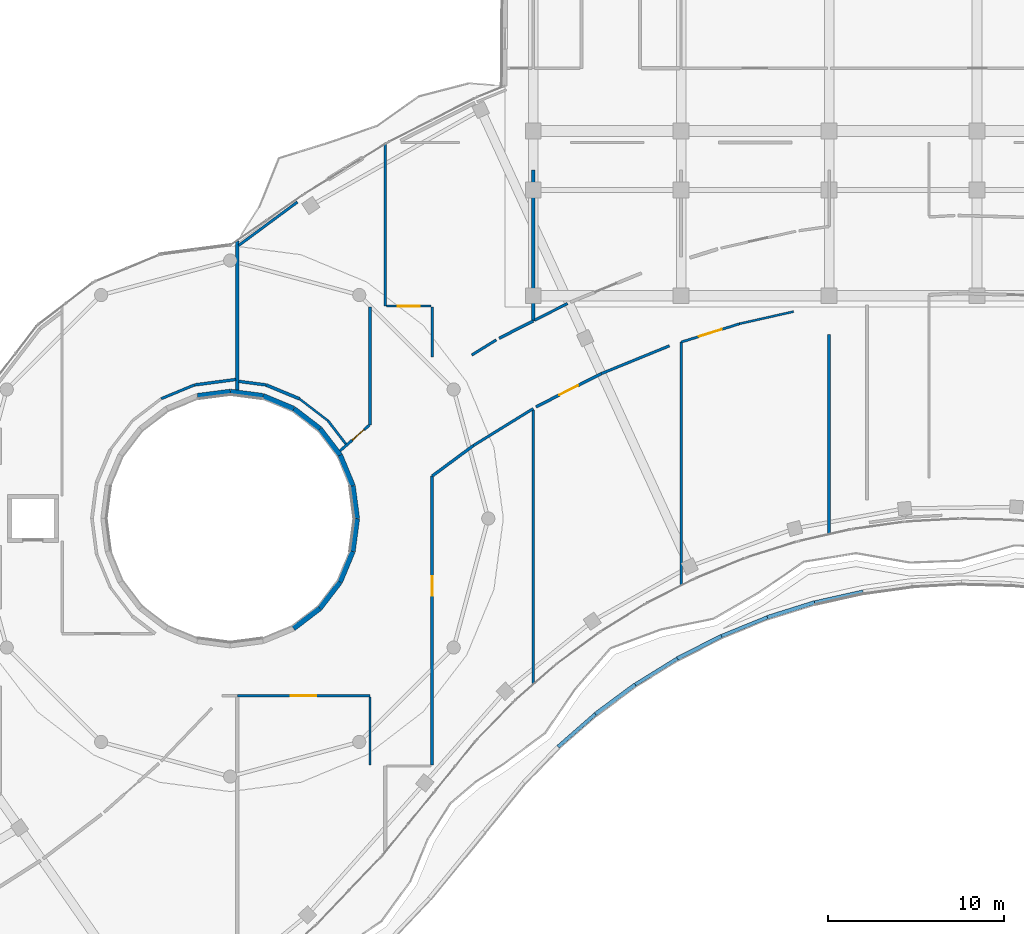
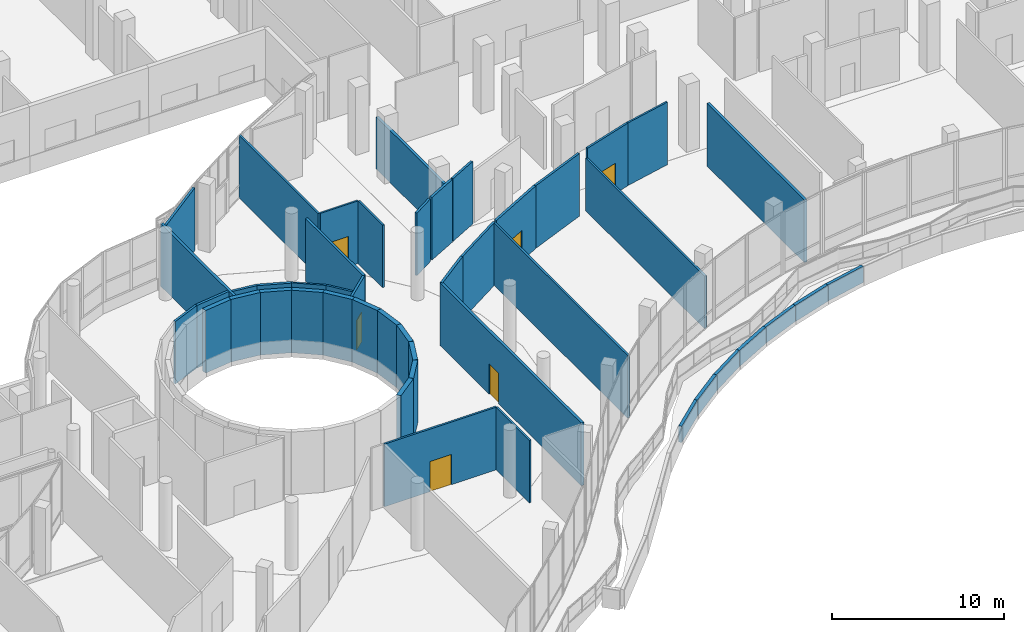
# One storey, part 142 of 168: 47 walls, 6 doors, 6 openings.
"""IFC4 building model written with IfcOpenShell, lengths in metres."""

from ifc_helpers import new_model, si_unit, direction, frame, frame_2d, origin, place, context, subcontext, project, spatial, rectangle, extrude, material, layer, layer_set, type_object, element, fill, save


model = new_model("IFC4")

# Units and contexts
model_context = context("Model", 3, precision=1e-05, world=origin(), true_north=direction((0.0, 1.0)))
body_context = subcontext(model_context, "Body", "Model", "MODEL_VIEW")
ifc_project = project(units=[si_unit("LENGTHUNIT", "METRE"), si_unit("AREAUNIT", "SQUARE_METRE"), si_unit("VOLUMEUNIT", "CUBIC_METRE"), si_unit("PLANEANGLEUNIT", "RADIAN"), si_unit("MASSUNIT", "GRAM", prefix="KILO")], contexts=[model_context])

# Site, building, storey
site_placement = place(None, origin())
site = spatial("IfcSite", under=ifc_project, at=site_placement, CompositionType="ELEMENT")
building_placement = place(site_placement, origin())
building = spatial("IfcBuilding", under=site, at=building_placement, Name="Selatvlak General Hospital", CompositionType="ELEMENT")
storey_placement = place(building_placement, frame((0.0, 0.0, 5.39990234375)))
storey = spatial("IfcBuildingStorey", under=building, at=storey_placement, Name="L01", CompositionType="ELEMENT", Elevation=5.39990234375)

# Walls
ifc_material_1 = material(Name="Precast concrete C40/50 - white fair-faced", Category="concrete")
ifc_layer_1 = layer(ifc_material_1, 0.300048828125, Name="Precast concrete C40/50 - white fair-faced", Category="concrete")
ifc_layer_set_1 = layer_set([ifc_layer_1], Name="Precast concrete C40/50 - white fair-faced")
wall_type_1 = type_object("IfcWallType", Name="WALL-EW-01", PredefinedType="SOLIDWALL", material=ifc_layer_set_1)
wall_1_placement = place(storey_placement, frame((101.60595703125, 60.22998046875, 0.0), z_axis=(0.0, 0.0, 1.0), x_axis=(-0.923330302292, 0.384006709406, 0.0)))
element("IfcWall", 1, at=wall_1_placement, inside=storey, type_object=wall_type_1, Name="L01 exterior wall 0249", PredefinedType="SOLIDWALL", context=body_context, shape_type="SweptSolid", body=[
    extrude(rectangle(XDim=1.8798828125, YDim=0.300048828125, at=frame_2d((0.93994140625, 0.0))), origin(), (0.0, 0.0, 1.0), 4.445068359375),
])
wall_2_placement = place(storey_placement, frame((99.8701171875, 60.951904296875, 0.0), z_axis=(0.0, 0.0, 1.0), x_axis=(-0.991311701137, 0.131533688416, 0.0)))
element("IfcWall", 2, at=wall_2_placement, inside=storey, type_object=wall_type_1, Name="L01 exterior wall 0250", PredefinedType="SOLIDWALL", context=body_context, shape_type="SweptSolid", body=[
    extrude(rectangle(XDim=1.87841796875, YDim=0.300048828125, at=frame_2d((0.939208984375, 0.0))), origin(), (0.0, 0.0, 1.0), 4.445068359375),
])
for number, where, z_axis, x_axis, name in (
    (3, (98.008056640625, 61.198974609375, 0.0), (0.0, 0.0, 1.0), (-0.991606206969, -0.129294741965, 0.0), "L01 exterior wall 0251"),
    (4, (101.593017578125, 47.761962890625, 0.0), (0.0, 0.0, 1.0), (0.79405161161, 0.607850341861, 0.0), "L01 exterior wall 0265"),
):
    element("IfcWall", number, at=place(storey_placement, frame(where, z_axis=z_axis, x_axis=x_axis)), inside=storey, type_object=wall_type_1, Name=name, PredefinedType="SOLIDWALL", context=body_context, shape_type="SweptSolid", body=[
        extrude(rectangle(XDim=1.87890625, YDim=0.300048828125, at=frame_2d((0.939453125, 0.0))), origin(), (0.0, 0.0, 1.0), 4.445068359375),
    ])
wall_3_placement = place(storey_placement, frame((103.0849609375, 48.904052734375, 0.0), z_axis=(0.0, 0.0, 1.0), x_axis=(0.609333966613, 0.792913688324, 0.0)))
element("IfcWall", 5, at=wall_3_placement, inside=storey, type_object=wall_type_1, Name="L01 exterior wall 0266", PredefinedType="SOLIDWALL", context=body_context, shape_type="SweptSolid", body=[
    extrude(rectangle(XDim=1.879150390625, YDim=0.300048828125, at=frame_2d((0.939453125, 0.0))), origin(), (0.0, 0.0, 1.0), 4.445068359375),
])
wall_4_placement = place(storey_placement, frame((104.22998046875, 50.39404296875, 0.0), z_axis=(0.0, 0.0, 1.0), x_axis=(0.384006709406, 0.923330302292, 0.0)))
element("IfcWall", 6, at=wall_4_placement, inside=storey, type_object=wall_type_1, Name="L01 exterior wall 0267", PredefinedType="SOLIDWALL", context=body_context, shape_type="SweptSolid", body=[
    extrude(rectangle(XDim=1.8798828125, YDim=0.300048828125, at=frame_2d((0.93994140625, 0.0))), origin(), (0.0, 0.0, 1.0), 4.445068359375),
])
wall_5_placement = place(storey_placement, frame((104.951904296875, 52.1298828125, 0.0), z_axis=(0.0, 0.0, 1.0), x_axis=(0.131533688416, 0.991311701137, 0.0)))
element("IfcWall", 7, at=wall_5_placement, inside=storey, type_object=wall_type_1, Name="L01 exterior wall 0268", PredefinedType="SOLIDWALL", context=body_context, shape_type="SweptSolid", body=[
    extrude(rectangle(XDim=1.87841796875, YDim=0.300048828125, at=frame_2d((0.939208984375, 0.0))), origin(), (0.0, 0.0, 1.0), 4.445068359375),
])
wall_6_placement = place(storey_placement, frame((105.198974609375, 53.991943359375, 0.0), z_axis=(0.0, 0.0, 1.0), x_axis=(-0.129294741965, 0.991606206969, 0.0)))
element("IfcWall", 8, at=wall_6_placement, inside=storey, type_object=wall_type_1, Name="L01 exterior wall 0269", PredefinedType="SOLIDWALL", context=body_context, shape_type="SweptSolid", body=[
    extrude(rectangle(XDim=1.87890625, YDim=0.300048828125, at=frame_2d((0.939453125, 0.0))), origin(), (0.0, 0.0, 1.0), 4.445068359375),
])
wall_7_placement = place(storey_placement, frame((104.9560546875, 55.85498046875, 0.0), z_axis=(0.0, 0.0, 1.0), x_axis=(-0.381820428435, 0.924236528401, 0.0)))
element("IfcWall", 9, at=wall_7_placement, inside=storey, type_object=wall_type_1, Name="L01 exterior wall 0270", PredefinedType="SOLIDWALL", context=body_context, shape_type="SweptSolid", body=[
    extrude(rectangle(XDim=1.880615234375, YDim=0.300048828125, at=frame_2d((0.9404296875, 0.0))), origin(), (0.0, 0.0, 1.0), 4.445068359375),
])
wall_8_placement = place(storey_placement, frame((104.238037109375, 57.593017578125, 0.0), z_axis=(0.0, 0.0, 1.0), x_axis=(-0.607850341861, 0.79405161161, 0.0)))
element("IfcWall", 10, at=wall_8_placement, inside=storey, type_object=wall_type_1, Name="L01 exterior wall 0271", PredefinedType="SOLIDWALL", context=body_context, shape_type="SweptSolid", body=[
    extrude(rectangle(XDim=1.87890625, YDim=0.300048828125, at=frame_2d((0.939453125, 0.0))), origin(), (0.0, 0.0, 1.0), 4.445068359375),
])
wall_9_placement = place(storey_placement, frame((103.095947265625, 59.0849609375, 0.0), z_axis=(0.0, 0.0, 1.0), x_axis=(-0.792913688324, 0.609333966613, 0.0)))
element("IfcWall", 11, at=wall_9_placement, inside=storey, type_object=wall_type_1, Name="L01 exterior wall 0272", PredefinedType="SOLIDWALL", context=body_context, shape_type="SweptSolid", body=[
    extrude(rectangle(XDim=1.879150390625, YDim=0.300048828125, at=frame_2d((0.939453125, 0.0))), origin(), (0.0, 0.0, 1.0), 4.445068359375),
])
ifc_layer_2 = layer(ifc_material_1, 0.199951171875, Name="Precast concrete C40/50 - white fair-faced", Category="concrete")
ifc_layer_set_2 = layer_set([ifc_layer_2], Name="Precast concrete C40/50 - white fair-faced")
wall_type_2 = type_object("IfcWallType", Name="WALL-PR-01", PredefinedType="PARAPET", material=ifc_layer_set_2)
wall_10_placement = place(storey_placement, frame((133.926025390625, 49.85107421875, -0.079833984375), z_axis=(0.0, 0.0, 1.0), x_axis=(-0.975587461229, -0.219611259942, 0.0)))
element("IfcWall", 12, at=wall_10_placement, inside=storey, type_object=wall_type_2, Name="L01 roof parapet upstand PAR-L01-015", PredefinedType="PARAPET", context=body_context, shape_type="SweptSolid", body=[
    extrude(rectangle(XDim=2.814697265625, YDim=0.199951171875, at=frame_2d((1.4072265625, 0.0))), origin(), (0.0, 0.0, 1.0), 1.14990234375),
])
wall_11_placement = place(storey_placement, frame((128.4990234375, 48.389892578125, -0.079833984375), z_axis=(0.0, 0.0, 1.0), x_axis=(-0.925710006162, -0.37823403402, 0.0)))
element("IfcWall", 13, at=wall_11_placement, inside=storey, type_object=wall_type_2, Name="L01 roof parapet upstand PAR-L01-017", PredefinedType="PARAPET", context=body_context, shape_type="SweptSolid", body=[
    extrude(rectangle(XDim=2.81298828125, YDim=0.199951171875, at=frame_2d((1.406494140625, 0.0))), origin(), (0.0, 0.0, 1.0), 1.14990234375),
])
wall_12_placement = place(storey_placement, frame((123.384033203125, 46.049072265625, -0.079833984375), z_axis=(0.0, 0.0, 1.0), x_axis=(-0.850457549369, -0.526043683283, 0.0)))
element("IfcWall", 14, at=wall_12_placement, inside=storey, type_object=wall_type_2, Name="L01 roof parapet upstand PAR-L01-019", PredefinedType="PARAPET", context=body_context, shape_type="SweptSolid", body=[
    extrude(rectangle(XDim=2.8115234375, YDim=0.199951171875, at=frame_2d((1.40576171875, 0.0))), origin(), (0.0, 0.0, 1.0), 1.14990234375),
])
wall_13_placement = place(storey_placement, frame((118.73095703125, 42.89697265625, -0.079833984375), z_axis=(0.0, 0.0, 1.0), x_axis=(-0.751958286478, -0.659210691203, 0.0)))
element("IfcWall", 15, at=wall_13_placement, inside=storey, type_object=wall_type_2, Name="L01 roof parapet upstand PAR-L01-021", PredefinedType="PARAPET", context=body_context, shape_type="SweptSolid", body=[
    extrude(rectangle(XDim=2.81396484375, YDim=0.199951171875, at=frame_2d((1.406982421875, 0.0))), origin(), (0.0, 0.0, 1.0), 1.14990234375),
])
ifc_layer_3 = layer(ifc_material_1, 0.219970703125, Name="Precast concrete C40/50 - white fair-faced", Category="concrete")
ifc_layer_set_3 = layer_set([ifc_layer_3], Name="Precast concrete C40/50 - white fair-faced")
wall_type_3 = type_object("IfcWallType", Name="WALL-PR-02", PredefinedType="PARAPET", material=ifc_layer_set_3)
wall_14_placement = place(storey_placement, frame((131.179931640625, 49.23291015625, -0.079833984375), z_axis=(0.0, 0.0, 1.0), x_axis=(-0.953948268854, -0.299971165864, 0.0)))
element("IfcWall", 16, at=wall_14_placement, inside=storey, type_object=wall_type_3, Name="L01 roof parapet upstand PAR-L01-016", PredefinedType="PARAPET", context=body_context, shape_type="SweptSolid", body=[
    extrude(rectangle(XDim=2.810302734375, YDim=0.219970703125, at=frame_2d((1.4052734375, 0.0))), origin(), (0.0, 0.0, 1.0), 1.14990234375),
])
wall_15_placement = place(storey_placement, frame((125.89501953125, 47.325927734375, -0.079833984375), z_axis=(0.0, 0.0, 1.0), x_axis=(-0.891373260377, -0.453270019618, 0.0)))
element("IfcWall", 17, at=wall_15_placement, inside=storey, type_object=wall_type_3, Name="L01 roof parapet upstand PAR-L01-018", PredefinedType="PARAPET", context=body_context, shape_type="SweptSolid", body=[
    extrude(rectangle(XDim=2.81689453125, YDim=0.219970703125, at=frame_2d((1.408447265625, 0.0))), origin(), (0.0, 0.0, 1.0), 1.14990234375),
])
wall_16_placement = place(storey_placement, frame((120.992919921875, 44.570068359375, -0.079833984375), z_axis=(0.0, 0.0, 1.0), x_axis=(-0.803970506594, -0.594669172336, 0.0)))
element("IfcWall", 18, at=wall_16_placement, inside=storey, type_object=wall_type_3, Name="L01 roof parapet upstand PAR-L01-020", PredefinedType="PARAPET", context=body_context, shape_type="SweptSolid", body=[
    extrude(rectangle(XDim=2.8134765625, YDim=0.219970703125, at=frame_2d((1.40673828125, 0.0))), origin(), (0.0, 0.0, 1.0), 1.14990234375),
])
ifc_material_2 = material(Name="Acoustic gypsum stud partition")
ifc_layer_4 = layer(ifc_material_2, 0.179931640625, Name="Acoustic gypsum stud partition")
ifc_layer_set_4 = layer_set([ifc_layer_4], Name="Acoustic gypsum stud partition")
wall_type_4 = type_object("IfcWallType", Name="WALL-PT-01", PredefinedType="PARTITIONING", material=ifc_layer_set_4)
wall_17_placement = place(storey_placement, frame((98.39990234375, 69.76611328125, 0.0), z_axis=(0.0, 0.0, 1.0), x_axis=(0.0, -1.0, 0.0)))
element("IfcWall", 19, at=wall_17_placement, inside=storey, type_object=wall_type_4, Name="L01 clinical partition PT-L01-0820", PredefinedType="PARTITIONING", context=body_context, shape_type="SweptSolid", body=[
    extrude(rectangle(XDim=8.47119140625, YDim=0.179931640625, at=frame_2d((4.235595703125, 0.0))), origin(), (0.0, 0.0, 1.0), 4.445068359375),
])
wall_18_placement = place(storey_placement, frame((101.925048828125, 60.798095703125, 0.0), z_axis=(0.0, 0.0, 1.0), x_axis=(-0.923745197655, 0.383007584532, 0.0)))
element("IfcWall", 20, at=wall_18_placement, inside=storey, type_object=wall_type_4, Name="L01 clinical partition PT-L01-0840", PredefinedType="PARTITIONING", context=body_context, shape_type="SweptSolid", body=[
    extrude(rectangle(XDim=2.04931640625, YDim=0.179931640625, at=frame_2d((1.024658203125, 0.0))), origin(), (0.0, 0.0, 1.0), 4.445068359375),
])

# Wall, opening, door
wall_19_placement = place(storey_placement, frame((109.4599609375, 40.0, 0.0), z_axis=(0.0, 0.0, 1.0), x_axis=(0.0, 1.0, 0.0)))
wall_19 = element("IfcWall", 21, at=wall_19_placement, inside=storey, type_object=wall_type_4, Name="L01 clinical partition PT-L01-0845", PredefinedType="PARTITIONING", context=body_context, shape_type="SweptSolid", body=[
    extrude(rectangle(XDim=16.406005859375, YDim=0.179931640625, at=frame_2d((8.203125, 0.0))), origin(), (0.0, 0.0, 1.0), 4.445068359375),
])
opening_1_placement = place(wall_19_placement, frame((9.6220703125, 0.0, 0.0)))
opening_1 = element("IfcOpeningElement", 22, at=opening_1_placement, cuts=wall_19, Name="Opening D-22", PredefinedType="OPENING", context=body_context, shape_type="SweptSolid", body=[
    extrude(rectangle(XDim=1.10009765625, YDim=2.14990234375, at=frame_2d((0.550048828125, 1.074951171875))), frame((0.0, 0.099853515625, 0.0), z_axis=(0.0, -1.0, 0.0), x_axis=(1.0, 0.0, 0.0)), (0.0, 0.0, 1.0), 0.199951171875),
])
ifc_material_3 = material(Name="Pharmacy security fire door")
door_type_1 = type_object("IfcDoorType", Name="DOOR-D-22", OperationType="NOTDEFINED", PredefinedType="DOOR", material=ifc_material_3)
door_1_placement = place(opening_1_placement, origin())
door_1 = element("IfcDoor", 23, at=door_1_placement, inside=storey, type_object=door_type_1, Name="L01 Respiratory Function Clinic 27 door", OperationType="SINGLE_SWING_LEFT", OverallHeight=2.14990234375, OverallWidth=1.10009765625, PredefinedType="DOOR", context=body_context, shape_type="SweptSolid", body=[
    extrude(rectangle(XDim=1.10009765625, YDim=2.14990234375, at=frame_2d((0.550048828125, 1.074951171875))), frame((0.0, 0.02490234375, 0.0), z_axis=(0.0, -1.0, 0.0), x_axis=(1.0, 0.0, 0.0)), (0.0, 0.0, 1.0), 0.050048828125),
])
fill(opening_1, door_1)

# Walls
wall_20_placement = place(storey_placement, frame((115.199951171875, 73.7900390625, 0.0), z_axis=(0.0, 0.0, 1.0), x_axis=(0.0, -1.0, 0.0)))
element("IfcWall", 24, at=wall_20_placement, inside=storey, type_object=wall_type_4, Name="L01 clinical partition PT-L01-0850", PredefinedType="PARTITIONING", context=body_context, shape_type="SweptSolid", body=[
    extrude(rectangle(XDim=8.574951171875, YDim=0.179931640625, at=frame_2d((4.28759765625, 0.0))), origin(), (0.0, 0.0, 1.0), 3.695068359375),
])
wall_21_placement = place(storey_placement, frame((132.0, 64.43994140625, 0.0), z_axis=(0.0, 0.0, 1.0), x_axis=(0.0, -1.0, 0.0)))
element("IfcWall", 25, at=wall_21_placement, inside=storey, type_object=wall_type_4, Name="L01 clinical partition PT-L01-0865", PredefinedType="PARTITIONING", context=body_context, shape_type="SweptSolid", body=[
    extrude(rectangle(XDim=11.323974609375, YDim=0.179931640625, at=frame_2d((5.662109375, 0.0))), origin(), (0.0, 0.0, 1.0), 4.445068359375),
])
ifc_layer_5 = layer(ifc_material_2, 0.1650390625, Name="Acoustic gypsum stud partition")
ifc_layer_set_5 = layer_set([ifc_layer_5], Name="Acoustic gypsum stud partition")
wall_type_5 = type_object("IfcWallType", Name="WALL-PT-02", PredefinedType="PARTITIONING", material=ifc_layer_set_5)
wall_22_placement = place(storey_placement, frame((98.31396484375, 61.89111328125, 0.0), z_axis=(0.0, 0.0, 1.0), x_axis=(-0.991485524019, -0.130216956115, 0.0)))
element("IfcWall", 26, at=wall_22_placement, inside=storey, type_object=wall_type_5, Name="L01 clinical partition PT-L01-0821", PredefinedType="PARTITIONING", context=body_context, shape_type="SweptSolid", body=[
    extrude(rectangle(XDim=2.3662109375, YDim=0.1650390625, at=frame_2d((1.18310546875, 0.0))), origin(), (0.0, 0.0, 1.0), 4.445068359375),
])
wall_23_placement = place(storey_placement, frame((105.93994140625, 66.0, 0.0), z_axis=(0.0, 0.0, 1.0), x_axis=(0.0, -1.0, 0.0)))
element("IfcWall", 27, at=wall_23_placement, inside=storey, type_object=wall_type_5, Name="L01 clinical partition PT-L01-0836", PredefinedType="PARTITIONING", context=body_context, shape_type="SweptSolid", body=[
    extrude(rectangle(XDim=6.699951171875, YDim=0.1650390625, at=frame_2d((3.35009765625, 0.0))), origin(), (0.0, 0.0, 1.0), 4.445068359375),
])
wall_24_placement = place(storey_placement, frame((100.031982421875, 61.5830078125, 0.0), z_axis=(0.0, 0.0, 1.0), x_axis=(-0.991497943081, 0.130122361134, 0.0)))
element("IfcWall", 28, at=wall_24_placement, inside=storey, type_object=wall_type_5, Name="L01 clinical partition PT-L01-0841", PredefinedType="PARTITIONING", context=body_context, shape_type="SweptSolid", body=[
    extrude(rectangle(XDim=1.55908203125, YDim=0.1650390625, at=frame_2d((0.779541015625, 0.0))), origin(), (0.0, 0.0, 1.0), 4.445068359375),
])
wall_25_placement = place(storey_placement, frame((109.4599609375, 56.406005859375, 0.0), z_axis=(0.0, 0.0, 1.0), x_axis=(0.803833088097, 0.594854912125, 0.0)))
element("IfcWall", 29, at=wall_25_placement, inside=storey, type_object=wall_type_5, Name="L01 clinical partition PT-L01-0846", PredefinedType="PARTITIONING", context=body_context, shape_type="SweptSolid", body=[
    extrude(rectangle(XDim=2.914794921875, YDim=0.1650390625, at=frame_2d((1.45751953125, 0.0))), origin(), (0.0, 0.0, 1.0), 4.445068359375),
])
wall_26_placement = place(storey_placement, frame((115.199951171875, 65.215087890625, 0.0), z_axis=(0.0, 0.0, 1.0), x_axis=(-0.891321133159, -0.45337251525, 0.0)))
element("IfcWall", 30, at=wall_26_placement, inside=storey, type_object=wall_type_5, Name="L01 clinical partition PT-L01-0851", PredefinedType="PARTITIONING", context=body_context, shape_type="SweptSolid", body=[
    extrude(rectangle(XDim=2.16845703125, YDim=0.1650390625, at=frame_2d((1.084228515625, 0.0))), origin(), (0.0, 0.0, 1.0), 4.445068359375),
])

# Wall, opening, door
wall_27_placement = place(storey_placement, frame((115.35302734375, 60.333984375, 0.0), z_axis=(0.0, 0.0, 1.0), x_axis=(0.891282591813, 0.453448278782, 0.0)))
wall_27 = element("IfcWall", 31, at=wall_27_placement, inside=storey, type_object=wall_type_5, Name="L01 clinical partition PT-L01-0856", PredefinedType="PARTITIONING", context=body_context, shape_type="SweptSolid", body=[
    extrude(rectangle(XDim=4.1748046875, YDim=0.1650390625, at=frame_2d((2.08740234375, 0.0))), origin(), (0.0, 0.0, 1.0), 4.445068359375),
])
opening_2_placement = place(wall_27_placement, frame((1.487060546875, 0.0, 0.0)))
opening_2 = element("IfcOpeningElement", 32, at=opening_2_placement, cuts=wall_27, Name="Opening D-07", PredefinedType="OPENING", context=body_context, shape_type="SweptSolid", body=[
    extrude(rectangle(XDim=1.199951171875, YDim=2.14990234375, at=frame_2d((0.60009765625, 1.074951171875))), frame((0.0, 0.092529296875, 0.0), z_axis=(0.0, -1.0, 0.0), x_axis=(1.0, 0.0, 0.0)), (0.0, 0.0, 1.0), 0.18505859375),
])
ifc_material_4 = material(Name="Plant and store fire door")
door_type_2 = type_object("IfcDoorType", Name="DOOR-D-07", OperationType="NOTDEFINED", PredefinedType="DOOR", material=ifc_material_4)
door_2_placement = place(opening_2_placement, origin())
door_2 = element("IfcDoor", 33, at=door_2_placement, inside=storey, type_object=door_type_2, Name="L01 Adult Intensive Care Unit Bay 29 door", OperationType="SINGLE_SWING_LEFT", OverallHeight=2.14990234375, OverallWidth=1.199951171875, PredefinedType="DOOR", context=body_context, shape_type="SweptSolid", body=[
    extrude(rectangle(XDim=1.199951171875, YDim=2.14990234375, at=frame_2d((0.60009765625, 1.074951171875))), frame((0.0, 0.02490234375, 0.0), z_axis=(0.0, -1.0, 0.0), x_axis=(1.0, 0.0, 0.0)), (0.0, 0.0, 1.0), 0.050048828125),
])
fill(opening_2, door_2)

# Wall
ifc_layer_6 = layer(ifc_material_2, 0.14990234375, Name="Acoustic gypsum stud partition")
ifc_layer_set_6 = layer_set([ifc_layer_6], Name="Acoustic gypsum stud partition")
wall_type_6 = type_object("IfcWallType", Name="WALL-PT-03", PredefinedType="PARTITIONING", material=ifc_layer_set_6)
wall_28_placement = place(storey_placement, frame((95.968017578125, 61.5830078125, 0.0), z_axis=(0.0, 0.0, 1.0), x_axis=(-0.923745197655, -0.383007584532, 0.0)))
element("IfcWall", 34, at=wall_28_placement, inside=storey, type_object=wall_type_6, Name="L01 clinical partition PT-L01-0822", PredefinedType="PARTITIONING", context=body_context, shape_type="SweptSolid", body=[
    extrude(rectangle(XDim=2.04931640625, YDim=0.14990234375, at=frame_2d((1.024658203125, 0.0))), origin(), (0.0, 0.0, 1.0), 4.445068359375),
])

# Wall, opening, door
wall_29_placement = place(storey_placement, frame((105.89794921875, 59.300048828125, 0.0), z_axis=(0.0, 0.0, 1.0), x_axis=(-0.751701560076, -0.65950342272, 0.0)))
wall_29 = element("IfcWall", 35, at=wall_29_placement, inside=storey, type_object=wall_type_6, Name="L01 clinical partition PT-L01-0837", PredefinedType="PARTITIONING", context=body_context, shape_type="SweptSolid", body=[
    extrude(rectangle(XDim=2.213623046875, YDim=0.14990234375, at=frame_2d((1.10693359375, 0.0))), origin(), (0.0, 0.0, 1.0), 4.445068359375),
])
opening_3_placement = place(wall_29_placement, frame((0.39111328125, 0.0, 0.0)))
opening_3 = element("IfcOpeningElement", 36, at=opening_3_placement, cuts=wall_29, Name="Opening D-01", PredefinedType="OPENING", context=body_context, shape_type="SweptSolid", body=[
    extrude(rectangle(XDim=0.89990234375, YDim=2.10009765625, at=frame_2d((0.449951171875, 1.050048828125))), frame((0.0, 0.0849609375, 0.0), z_axis=(0.0, -1.0, 0.0), x_axis=(1.0, 0.0, 0.0)), (0.0, 0.0, 1.0), 0.169921875),
])
ifc_material_5 = material(Name="Hardwood clinical room door", Category="wood")
door_type_3 = type_object("IfcDoorType", Name="DOOR-D-01", OperationType="NOTDEFINED", PredefinedType="DOOR", material=ifc_material_5)
door_3_placement = place(opening_3_placement, origin())
door_3 = element("IfcDoor", 37, at=door_3_placement, inside=storey, type_object=door_type_3, Name="L01 Paediatric Intensive Care Unit 26 door", OperationType="SINGLE_SWING_RIGHT", OverallHeight=2.10009765625, OverallWidth=0.89990234375, PredefinedType="DOOR", context=body_context, shape_type="SweptSolid", body=[
    extrude(rectangle(XDim=0.89990234375, YDim=2.10009765625, at=frame_2d((0.449951171875, 1.050048828125))), frame((0.0, 0.02490234375, 0.0), z_axis=(0.0, -1.0, 0.0), x_axis=(1.0, 0.0, 0.0)), (0.0, 0.0, 1.0), 0.050048828125),
])
fill(opening_3, door_3)

# Walls
wall_30_placement = place(storey_placement, frame((98.486083984375, 69.506103515625, 0.0), z_axis=(0.0, 0.0, 1.0), x_axis=(0.804037596369, 0.594578458763, 0.0)))
element("IfcWall", 38, at=wall_30_placement, inside=storey, type_object=wall_type_6, Name="L01 clinical partition PT-L01-0842", PredefinedType="PARTITIONING", context=body_context, shape_type="SweptSolid", body=[
    extrude(rectangle(XDim=4.138916015625, YDim=0.14990234375, at=frame_2d((2.0693359375, 0.0))), origin(), (0.0, 0.0, 1.0), 4.445068359375),
])
wall_31_placement = place(storey_placement, frame((111.802978515625, 58.139892578125, 0.0), z_axis=(0.0, 0.0, 1.0), x_axis=(0.850687032492, 0.525672495714, 0.0)))
element("IfcWall", 39, at=wall_31_placement, inside=storey, type_object=wall_type_6, Name="L01 clinical partition PT-L01-0847", PredefinedType="PARTITIONING", context=body_context, shape_type="SweptSolid", body=[
    extrude(rectangle(XDim=3.9931640625, YDim=0.14990234375, at=frame_2d((1.99658203125, 0.0))), origin(), (0.0, 0.0, 1.0), 4.445068359375),
])
wall_32_placement = place(storey_placement, frame((113.10693359375, 64.14208984375, 0.0), z_axis=(0.0, 0.0, 1.0), x_axis=(-0.850576382598, -0.525851516463, 0.0)))
element("IfcWall", 40, at=wall_32_placement, inside=storey, type_object=wall_type_6, Name="L01 clinical partition PT-L01-0852", PredefinedType="PARTITIONING", context=body_context, shape_type="SweptSolid", body=[
    extrude(rectangle(XDim=1.637451171875, YDim=0.14990234375, at=frame_2d((0.81884765625, 0.0))), origin(), (0.0, 0.0, 1.0), 4.445068359375),
])
wall_33_placement = place(storey_placement, frame((119.073974609375, 62.22705078125, 0.0), z_axis=(0.0, 0.0, 1.0), x_axis=(0.925752783847, 0.378129320736, 0.0)))
element("IfcWall", 41, at=wall_33_placement, inside=storey, type_object=wall_type_6, Name="L01 clinical partition PT-L01-0857", PredefinedType="PARTITIONING", context=body_context, shape_type="SweptSolid", body=[
    extrude(rectangle(XDim=4.1728515625, YDim=0.14990234375, at=frame_2d((2.08642578125, 0.0))), origin(), (0.0, 0.0, 1.0), 4.445068359375),
])
wall_34_placement = place(storey_placement, frame((117.15087890625, 66.2080078125, 0.0), z_axis=(0.0, 0.0, 1.0), x_axis=(-0.891254866421, -0.453502770753, 0.0)))
element("IfcWall", 42, at=wall_34_placement, inside=storey, type_object=wall_type_6, Name="L01 clinical partition PT-L01-0862", PredefinedType="PARTITIONING", context=body_context, shape_type="SweptSolid", body=[
    extrude(rectangle(XDim=2.092529296875, YDim=0.14990234375, at=frame_2d((1.04638671875, 0.0))), origin(), (0.0, 0.0, 1.0), 4.445068359375),
])

# Wall, opening, door
ifc_material_6 = material(Name="Moisture-resistant clinical partition")
ifc_layer_7 = layer(ifc_material_6, 0.135009765625, Name="Moisture-resistant clinical partition")
ifc_layer_set_7 = layer_set([ifc_layer_7], Name="Moisture-resistant clinical partition")
wall_type_7 = type_object("IfcWallType", Name="WALL-PT-04", PredefinedType="PARTITIONING", material=ifc_layer_set_7)
wall_35_placement = place(storey_placement, frame((98.39990234375, 43.93994140625, 0.0), z_axis=(0.0, 0.0, 1.0), x_axis=(1.0, 0.0, 0.0)))
wall_35 = element("IfcWall", 43, at=wall_35_placement, inside=storey, type_object=wall_type_7, Name="L01 clinical partition PT-L01-0833", PredefinedType="PARTITIONING", context=body_context, shape_type="SweptSolid", body=[
    extrude(rectangle(XDim=7.5400390625, YDim=0.135009765625, at=frame_2d((3.77001953125, 0.0))), origin(), (0.0, 0.0, 1.0), 4.445068359375),
])
opening_4_placement = place(wall_35_placement, frame((3.044921875, 0.0, 0.0)))
opening_4 = element("IfcOpeningElement", 44, at=opening_4_placement, cuts=wall_35, Name="Opening D-12", PredefinedType="OPENING", context=body_context, shape_type="SweptSolid", body=[
    extrude(rectangle(XDim=1.449951171875, YDim=2.14990234375, at=frame_2d((0.72509765625, 1.074951171875))), frame((0.0, 0.077392578125, 0.0), z_axis=(0.0, -1.0, 0.0), x_axis=(1.0, 0.0, 0.0)), (0.0, 0.0, 1.0), 0.155029296875),
])
ifc_material_7 = material(Name="Isolation anteroom door")
door_type_4 = type_object("IfcDoorType", Name="DOOR-D-12", OperationType="NOTDEFINED", PredefinedType="DOOR", material=ifc_material_7)
door_4_placement = place(opening_4_placement, origin())
door_4 = element("IfcDoor", 45, at=door_4_placement, inside=storey, type_object=door_type_4, Name="L01 Orthopaedic Specialist Clinic 25 door", OperationType="SINGLE_SWING_LEFT", OverallHeight=2.14990234375, OverallWidth=1.449951171875, PredefinedType="DOOR", context=body_context, shape_type="SweptSolid", body=[
    extrude(rectangle(XDim=1.449951171875, YDim=2.14990234375, at=frame_2d((0.72509765625, 1.074951171875))), frame((0.0, 0.02490234375, 0.0), z_axis=(0.0, -1.0, 0.0), x_axis=(1.0, 0.0, 0.0)), (0.0, 0.0, 1.0), 0.050048828125),
])
fill(opening_4, door_4)

# Walls
wall_36_placement = place(storey_placement, frame((104.56689453125, 58.22705078125, 0.0), z_axis=(0.0, 0.0, 1.0), x_axis=(-0.608741699994, 0.793368478507, 0.0)))
element("IfcWall", 46, at=wall_36_placement, inside=storey, type_object=wall_type_7, Name="L01 clinical partition PT-L01-0838", PredefinedType="PARTITIONING", context=body_context, shape_type="SweptSolid", body=[
    extrude(rectangle(XDim=1.668701171875, YDim=0.135009765625, at=frame_2d((0.83447265625, 0.0))), origin(), (0.0, 0.0, 1.0), 4.445068359375),
])
wall_37_placement = place(storey_placement, frame((106.800048828125, 75.2509765625, 0.0), z_axis=(0.0, 0.0, 1.0), x_axis=(0.0, -1.0, 0.0)))
element("IfcWall", 47, at=wall_37_placement, inside=storey, type_object=wall_type_7, Name="L01 clinical partition PT-L01-0843", PredefinedType="PARTITIONING", context=body_context, shape_type="SweptSolid", body=[
    extrude(rectangle(XDim=9.19091796875, YDim=0.135009765625, at=frame_2d((4.595458984375, 0.0))), origin(), (0.0, 0.0, 1.0), 4.445068359375),
])
wall_38_placement = place(storey_placement, frame((115.199951171875, 60.156005859375, 0.0), z_axis=(0.0, 0.0, 1.0), x_axis=(0.0, -1.0, 0.0)))
element("IfcWall", 48, at=wall_38_placement, inside=storey, type_object=wall_type_7, Name="L01 clinical partition PT-L01-0848", PredefinedType="PARTITIONING", context=body_context, shape_type="SweptSolid", body=[
    extrude(rectangle(XDim=15.555908203125, YDim=0.135009765625, at=frame_2d((7.77783203125, 0.0))), origin(), (0.0, 0.0, 1.0), 4.445068359375),
])
wall_39_placement = place(storey_placement, frame((109.4599609375, 63.1630859375, 0.0), z_axis=(0.0, 0.0, 1.0), x_axis=(0.0, 1.0, 0.0)))
element("IfcWall", 49, at=wall_39_placement, inside=storey, type_object=wall_type_7, Name="L01 clinical partition PT-L01-0853", PredefinedType="PARTITIONING", context=body_context, shape_type="SweptSolid", body=[
    extrude(rectangle(XDim=2.8369140625, YDim=0.135009765625, at=frame_2d((1.41845703125, 0.0))), origin(), (0.0, 0.0, 1.0), 4.445068359375),
])
wall_40_placement = place(storey_placement, frame((123.60009765625, 64.013916015625, 0.0), z_axis=(0.0, 0.0, 1.0), x_axis=(0.0, -1.0, 0.0)))
element("IfcWall", 50, at=wall_40_placement, inside=storey, type_object=wall_type_7, Name="L01 clinical partition PT-L01-0858", PredefinedType="PARTITIONING", context=body_context, shape_type="SweptSolid", body=[
    extrude(rectangle(XDim=13.807861328125, YDim=0.135009765625, at=frame_2d((6.90380859375, 0.0))), origin(), (0.0, 0.0, 1.0), 3.7451171875),
])

# Wall, opening, door
wall_41_placement = place(storey_placement, frame((123.60009765625, 64.013916015625, 0.0), z_axis=(0.0, 0.0, 1.0), x_axis=(0.953976505083, 0.299881356123, 0.0)))
wall_41 = element("IfcWall", 51, at=wall_41_placement, inside=storey, type_object=wall_type_7, Name="L01 clinical partition PT-L01-0863", PredefinedType="PARTITIONING", context=body_context, shape_type="SweptSolid", body=[
    extrude(rectangle(XDim=3.47802734375, YDim=0.135009765625, at=frame_2d((1.739013671875, 0.0))), origin(), (0.0, 0.0, 1.0), 4.445068359375),
])
opening_5_placement = place(wall_41_placement, frame((1.06396484375, 0.0, 0.0)))
opening_5 = element("IfcOpeningElement", 52, at=opening_5_placement, cuts=wall_41, Name="Opening D-10", PredefinedType="OPENING", context=body_context, shape_type="SweptSolid", body=[
    extrude(rectangle(XDim=1.35009765625, YDim=2.14990234375, at=frame_2d((0.675048828125, 1.074951171875))), frame((0.0, 0.077392578125, 0.0), z_axis=(0.0, -1.0, 0.0), x_axis=(1.0, 0.0, 0.0)), (0.0, 0.0, 1.0), 0.155029296875),
])
ifc_material_8 = material(Name="Single patient bed door")
door_type_5 = type_object("IfcDoorType", Name="DOOR-D-10", OperationType="NOTDEFINED", PredefinedType="DOOR", material=ifc_material_8)
door_5_placement = place(opening_5_placement, origin())
door_5 = element("IfcDoor", 53, at=door_5_placement, inside=storey, type_object=door_type_5, Name="L01 Adult Intensive Care Unit Bay 31 door", OperationType="SINGLE_SWING_LEFT", OverallHeight=2.14990234375, OverallWidth=1.35009765625, PredefinedType="DOOR", context=body_context, shape_type="SweptSolid", body=[
    extrude(rectangle(XDim=1.35009765625, YDim=2.14990234375, at=frame_2d((0.675048828125, 1.074951171875))), frame((0.0, 0.02490234375, 0.0), z_axis=(0.0, -1.0, 0.0), x_axis=(1.0, 0.0, 0.0)), (0.0, 0.0, 1.0), 0.050048828125),
])
fill(opening_5, door_5)

# Walls
ifc_layer_8 = layer(ifc_material_6, 0.1201171875, Name="Moisture-resistant clinical partition")
ifc_layer_set_8 = layer_set([ifc_layer_8], Name="Moisture-resistant clinical partition")
wall_type_8 = type_object("IfcWallType", Name="WALL-PT-05", PredefinedType="PARTITIONING", material=ifc_layer_set_8)
wall_42_placement = place(storey_placement, frame((105.93994140625, 43.876953125, 0.0), z_axis=(0.0, 0.0, 1.0), x_axis=(0.0, -1.0, 0.0)))
element("IfcWall", 54, at=wall_42_placement, inside=storey, type_object=wall_type_8, Name="L01 clinical partition PT-L01-0834", PredefinedType="PARTITIONING", context=body_context, shape_type="SweptSolid", body=[
    extrude(rectangle(XDim=3.876953125, YDim=0.1201171875, at=frame_2d((1.9384765625, 0.0))), origin(), (0.0, 0.0, 1.0), 4.445068359375),
])
wall_43_placement = place(storey_placement, frame((103.551025390625, 59.551025390625, 0.0), z_axis=(0.0, 0.0, 1.0), x_axis=(-0.793491289639, 0.608581607729, 0.0)))
element("IfcWall", 55, at=wall_43_placement, inside=storey, type_object=wall_type_8, Name="L01 clinical partition PT-L01-0839", PredefinedType="PARTITIONING", context=body_context, shape_type="SweptSolid", body=[
    extrude(rectangle(XDim=2.049072265625, YDim=0.1201171875, at=frame_2d((1.0244140625, 0.0))), origin(), (0.0, 0.0, 1.0), 4.445068359375),
])

# Wall, opening, door
wall_44_placement = place(storey_placement, frame((109.39990234375, 66.06005859375, 0.0), z_axis=(0.0, 0.0, 1.0), x_axis=(-1.0, 0.0, 0.0)))
wall_44 = element("IfcWall", 56, at=wall_44_placement, inside=storey, type_object=wall_type_8, Name="L01 clinical partition PT-L01-0854", PredefinedType="PARTITIONING", context=body_context, shape_type="SweptSolid", body=[
    extrude(rectangle(XDim=2.535888671875, YDim=0.1201171875, at=frame_2d((1.26806640625, 0.0))), origin(), (0.0, 0.0, 1.0), 4.445068359375),
])
opening_6_placement = place(wall_44_placement, frame((0.64306640625, 0.0, 0.0)))
opening_6 = element("IfcOpeningElement", 57, at=opening_6_placement, cuts=wall_44, Name="Opening D-08", PredefinedType="OPENING", context=body_context, shape_type="SweptSolid", body=[
    extrude(rectangle(XDim=1.25, YDim=2.14990234375, at=frame_2d((0.625, 1.074951171875))), frame((0.0, 0.070068359375, 0.0), z_axis=(0.0, -1.0, 0.0), x_axis=(1.0, 0.0, 0.0)), (0.0, 0.0, 1.0), 0.14013671875),
])
ifc_material_9 = material(Name="Diagnostic treatment door")
door_type_6 = type_object("IfcDoorType", Name="DOOR-D-08", OperationType="NOTDEFINED", PredefinedType="DOOR", material=ifc_material_9)
door_6_placement = place(opening_6_placement, origin())
door_6 = element("IfcDoor", 58, at=door_6_placement, inside=storey, type_object=door_type_6, Name="L01 Paediatric Intensive Care Unit 28 door", OperationType="SINGLE_SWING_RIGHT", OverallHeight=2.14990234375, OverallWidth=1.25, PredefinedType="DOOR", context=body_context, shape_type="SweptSolid", body=[
    extrude(rectangle(XDim=1.25, YDim=2.14990234375, at=frame_2d((0.625, 1.074951171875))), frame((0.0, 0.02490234375, 0.0), z_axis=(0.0, -1.0, 0.0), x_axis=(1.0, 0.0, 0.0)), (0.0, 0.0, 1.0), 0.050048828125),
])
fill(opening_6, door_6)

# Wall
wall_45_placement = place(storey_placement, frame((126.91796875, 65.056884765625, 0.0), z_axis=(0.0, 0.0, 1.0), x_axis=(0.975537780093, 0.219831843942, 0.0)))
element("IfcWall", 59, at=wall_45_placement, inside=storey, type_object=wall_type_8, Name="L01 clinical partition PT-L01-0864", PredefinedType="PARTITIONING", context=body_context, shape_type="SweptSolid", body=[
    extrude(rectangle(XDim=3.14404296875, YDim=0.1201171875, at=frame_2d((1.572021484375, 0.0))), origin(), (0.0, 0.0, 1.0), 4.445068359375),
])

save(model, "model.ifc")
